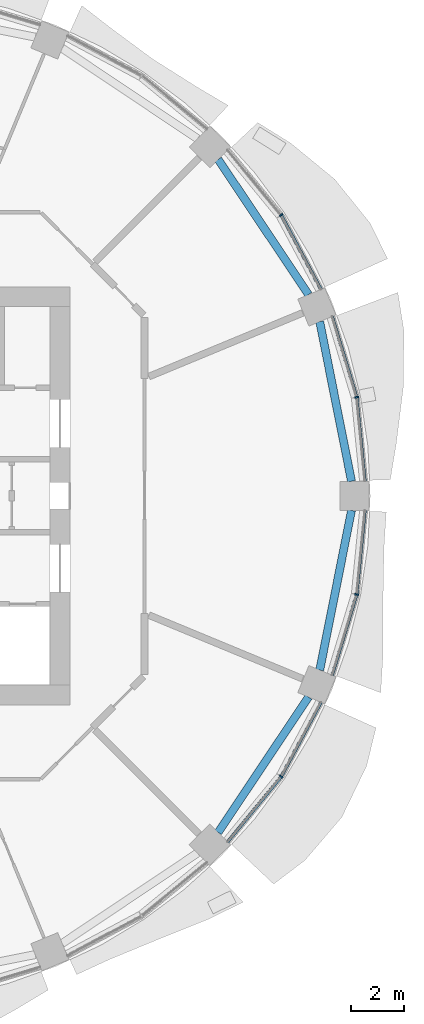
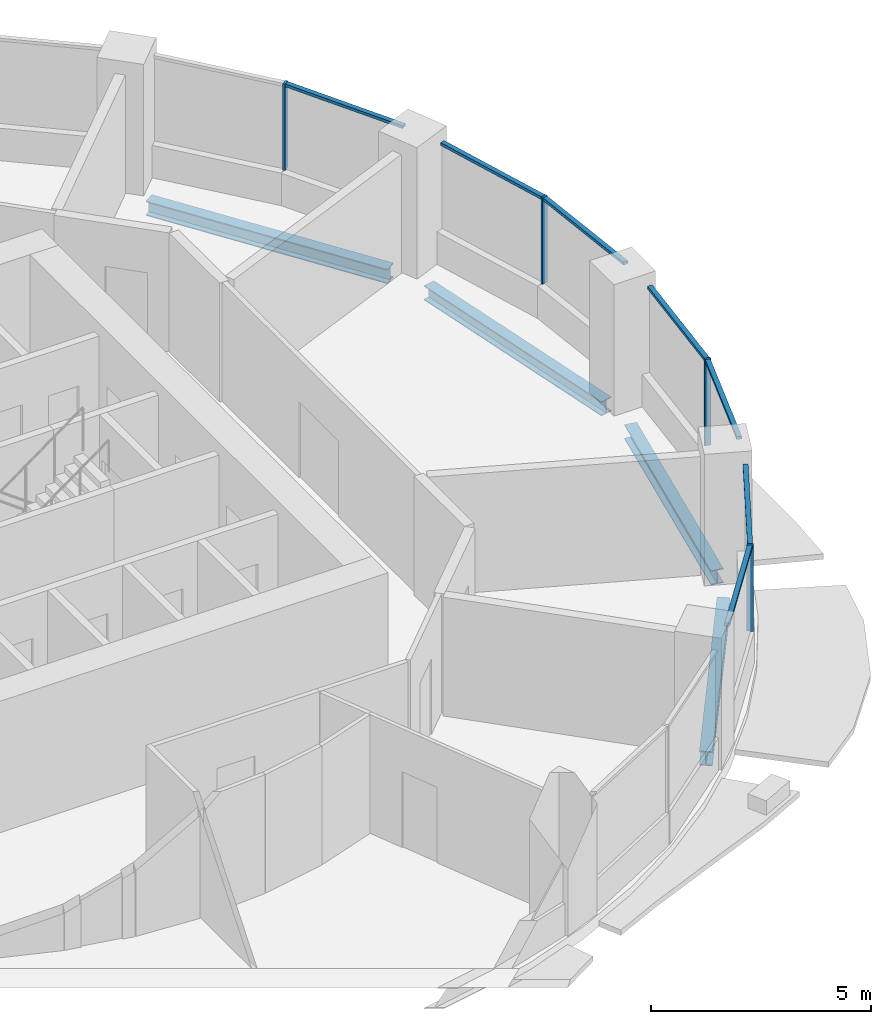
# One storey, part 4 of 14: 11 members, 4 beams, 4 elements without a shape of their own.
"""IFC4 building model written with IfcOpenShell, lengths in metres."""

from ifc_helpers import new_model, si_unit, direction, frame, origin, origin_2d, place, context, subcontext, project, spatial, rectangle, i_section, extrude, material, material_profile, profile_set, type_object, element, aggregate, save


model = new_model("IFC4")

# Units and contexts
model_context = context("Model", 3, precision=1e-05, world=origin(), true_north=direction((0.0, 1.0)))
body_context = subcontext(model_context, "Body", "Model", "MODEL_VIEW")
ifc_project = project(units=[si_unit("LENGTHUNIT", "METRE"), si_unit("AREAUNIT", "SQUARE_METRE"), si_unit("VOLUMEUNIT", "CUBIC_METRE"), si_unit("PLANEANGLEUNIT", "RADIAN"), si_unit("MASSUNIT", "GRAM", prefix="KILO")], contexts=[model_context])

# Site, building, storey
site_placement = place(None, origin())
site = spatial("IfcSite", under=ifc_project, at=site_placement, CompositionType="ELEMENT")
building_placement = place(site_placement, origin())
building = spatial("IfcBuilding", under=site, at=building_placement, Name="Polderwave Tower", CompositionType="ELEMENT")
storey_placement = place(building_placement, frame((0.0, 0.0, 109.25)))
storey = spatial("IfcBuildingStorey", under=building, at=storey_placement, Name="L28", CompositionType="ELEMENT", Elevation=109.25)

# Curtain wall, member
ifc_material_1 = material(Name="Aluminium 6063-T6 and glass", Category="aluminium")
curtain_wall_type = type_object("IfcCurtainWallType", Name="Growing floor ribbon glazing wall", PredefinedType="NOTDEFINED", material=ifc_material_1)
curtain_wall_1_placement = place(storey_placement, origin())
curtain_wall_1 = element("IfcCurtainWall", 1, at=curtain_wall_1_placement, inside=storey, type_object=curtain_wall_type, Name="CW2 L28 00", PredefinedType="NOTDEFINED")
ifc_material_2 = material(Name="Aluminium 6063-T6", Category="aluminium")
ifc_material_profile_1 = material_profile(ifc_material_2, rectangle(XDim=0.14990234375, YDim=0.06005859375, at=origin_2d()), Name="AL 60x150")
ifc_profile_set_1 = profile_set([ifc_material_profile_1], Name="Aluminium 6063-T6")
member_type_1 = type_object("IfcMemberType", Name="Growing floor ribbon glazing mullion 60x150", PredefinedType="MULLION", material=ifc_profile_set_1)
member_1_placement = place(storey_placement, frame((18.6640625, 3.712890625, 0.89990234375), z_axis=(0.0, 0.0, 1.0), x_axis=(-0.980784939905, -0.195092033809, 0.0)))
member_1 = element("IfcMember", 2, at=member_1_placement, type_object=member_type_1, Name="CW2 mullion 1", PredefinedType="MULLION", context=body_context, shape_type="SweptSolid", body=[
    extrude(rectangle(XDim=0.14990234375, YDim=0.06005859375, at=origin_2d()), origin(), (0.0, 0.0, 1.0), 2.400146484375),
])

curtain_wall_2_placement = place(storey_placement, origin())
curtain_wall_2 = element("IfcCurtainWall", 3, at=curtain_wall_2_placement, inside=storey, type_object=curtain_wall_type, Name="CW2 L28 01", PredefinedType="NOTDEFINED")
member_2_placement = place(storey_placement, frame((15.822998046875, 10.572998046875, 0.89990234375), z_axis=(0.0, 0.0, 1.0), x_axis=(-0.831459915646, -0.555584744817, 0.0)))
member_2 = element("IfcMember", 4, at=member_2_placement, type_object=member_type_1, Name="CW2 mullion 1", PredefinedType="MULLION", context=body_context, shape_type="SweptSolid", body=[
    extrude(rectangle(XDim=0.14990234375, YDim=0.06005859375, at=origin_2d()), origin(), (0.0, 0.0, 1.0), 2.400146484375),
])

curtain_wall_3_placement = place(storey_placement, origin())
curtain_wall_3 = element("IfcCurtainWall", 5, at=curtain_wall_3_placement, inside=storey, type_object=curtain_wall_type, Name="CW2 L28 14", PredefinedType="NOTDEFINED")
member_3_placement = place(storey_placement, frame((15.822998046875, -10.572998046875, 0.89990234375), z_axis=(0.0, 0.0, 1.0), x_axis=(-0.831459915646, 0.555584744817, 0.0)))
member_3 = element("IfcMember", 6, at=member_3_placement, type_object=member_type_1, Name="CW2 mullion 1", PredefinedType="MULLION", context=body_context, shape_type="SweptSolid", body=[
    extrude(rectangle(XDim=0.14990234375, YDim=0.06005859375, at=origin_2d()), origin(), (0.0, 0.0, 1.0), 2.400146484375),
])

curtain_wall_4_placement = place(storey_placement, origin())
curtain_wall_4 = element("IfcCurtainWall", 7, at=curtain_wall_4_placement, inside=storey, type_object=curtain_wall_type, Name="CW2 L28 15", PredefinedType="NOTDEFINED")
member_4_placement = place(storey_placement, frame((18.6640625, -3.712890625, 0.89990234375), z_axis=(0.0, 0.0, 1.0), x_axis=(-0.980784939905, 0.195092033809, 0.0)))
member_4 = element("IfcMember", 8, at=member_4_placement, type_object=member_type_1, Name="CW2 mullion 1", PredefinedType="MULLION", context=body_context, shape_type="SweptSolid", body=[
    extrude(rectangle(XDim=0.14990234375, YDim=0.06005859375, at=origin_2d()), origin(), (0.0, 0.0, 1.0), 2.400146484375),
])

# Member
ifc_material_profile_2 = material_profile(ifc_material_2, rectangle(XDim=0.1201171875, YDim=0.080078125, at=origin_2d()), Name="AL 80x120")
ifc_profile_set_2 = profile_set([ifc_material_profile_2], Name="Aluminium 6063-T6")
member_type_2 = type_object("IfcMemberType", Name="Growing floor ribbon glazing transom 80x120", PredefinedType="USERDEFINED", material=ifc_profile_set_2)
member_5_placement = place(storey_placement, frame((18.97607421875, 0.550048828125, 3.260009765625), z_axis=(-0.098175338745, 0.995169132792, 0.0), x_axis=(-0.995169132792, -0.098175338745, 0.0)))
member_5 = element("IfcMember", 9, at=member_5_placement, type_object=member_type_2, Name="CW2 transom 1", ObjectType="TRANSOM", PredefinedType="USERDEFINED", context=body_context, shape_type="SweptSolid", body=[
    extrude(rectangle(XDim=0.1201171875, YDim=0.080078125, at=origin_2d()), origin(), (0.0, 0.0, 1.0), 3.148193359375),
])

member_6_placement = place(storey_placement, frame((18.6552734375, 3.74169921875, 3.260009765625), z_axis=(-0.290164540356, 0.956976770627, 0.0), x_axis=(-0.956976770627, -0.290164540356, 0.0)))
member_6 = element("IfcMember", 10, at=member_6_placement, type_object=member_type_2, Name="CW2 transom 2", ObjectType="TRANSOM", PredefinedType="USERDEFINED", context=body_context, shape_type="SweptSolid", body=[
    extrude(rectangle(XDim=0.1201171875, YDim=0.080078125, at=origin_2d()), origin(), (0.0, 0.0, 1.0), 3.147705078125),
])

aggregate(curtain_wall_1, [member_1, member_5, member_6])

member_7_placement = place(storey_placement, frame((17.321044921875, 7.77001953125, 3.260009765625), z_axis=(-0.471368950997, 0.88193611562, 0.0), x_axis=(-0.88193611562, -0.471368950997, 0.0)))
member_7 = element("IfcMember", 11, at=member_7_placement, type_object=member_type_2, Name="CW2 transom 1", ObjectType="TRANSOM", PredefinedType="USERDEFINED", context=body_context, shape_type="SweptSolid", body=[
    extrude(rectangle(XDim=0.1201171875, YDim=0.080078125, at=origin_2d()), origin(), (0.0, 0.0, 1.0), 3.14794921875),
])

aggregate(curtain_wall_2, [member_2, member_7])

member_8_placement = place(storey_placement, frame((13.806884765625, -13.029052734375, 3.260009765625), z_axis=(0.634483003965, 0.77293681351, 0.0), x_axis=(-0.77293681351, 0.634483003965, 0.0)))
member_8 = element("IfcMember", 12, at=member_8_placement, type_object=member_type_2, Name="CW2 transom 1", ObjectType="TRANSOM", PredefinedType="USERDEFINED", context=body_context, shape_type="SweptSolid", body=[
    extrude(rectangle(XDim=0.1201171875, YDim=0.080078125, at=origin_2d()), origin(), (0.0, 0.0, 1.0), 3.1474609375),
])

member_9_placement = place(storey_placement, frame((15.837158203125, -10.54638671875, 3.260009765625), z_axis=(0.471368950997, 0.88193611562, 0.0), x_axis=(-0.88193611562, 0.471368950997, 0.0)))
member_9 = element("IfcMember", 13, at=member_9_placement, type_object=member_type_2, Name="CW2 transom 2", ObjectType="TRANSOM", PredefinedType="USERDEFINED", context=body_context, shape_type="SweptSolid", body=[
    extrude(rectangle(XDim=0.1201171875, YDim=0.080078125, at=origin_2d()), origin(), (0.0, 0.0, 1.0), 3.14794921875),
])

aggregate(curtain_wall_3, [member_3, member_8, member_9])

member_10_placement = place(storey_placement, frame((17.741943359375, -6.75390625, 3.260009765625), z_axis=(0.290164540356, 0.956976770627, 0.0), x_axis=(-0.956976770627, 0.290164540356, 0.0)))
member_10 = element("IfcMember", 14, at=member_10_placement, type_object=member_type_2, Name="CW2 transom 1", ObjectType="TRANSOM", PredefinedType="USERDEFINED", context=body_context, shape_type="SweptSolid", body=[
    extrude(rectangle(XDim=0.1201171875, YDim=0.080078125, at=origin_2d()), origin(), (0.0, 0.0, 1.0), 3.147705078125),
])

member_11_placement = place(storey_placement, frame((18.6669921875, -3.68310546875, 3.260009765625), z_axis=(0.098175338745, 0.995169132792, 0.0), x_axis=(-0.995169132792, 0.098175338745, 0.0)))
member_11 = element("IfcMember", 15, at=member_11_placement, type_object=member_type_2, Name="CW2 transom 2", ObjectType="TRANSOM", PredefinedType="USERDEFINED", context=body_context, shape_type="SweptSolid", body=[
    extrude(rectangle(XDim=0.1201171875, YDim=0.080078125, at=origin_2d()), origin(), (0.0, 0.0, 1.0), 3.148193359375),
])

aggregate(curtain_wall_4, [member_4, member_10, member_11])

# Beams
ifc_material_3 = material(Name="Steel S355", Category="steel")
ifc_material_profile_3 = material_profile(ifc_material_3, i_section(OverallWidth=0.300048828125, OverallDepth=0.39990234375, WebThickness=0.013427734375, FlangeThickness=0.02392578125, at=origin_2d()), Name="HE 400 B")
ifc_profile_set_3 = profile_set([ifc_material_profile_3], Name="Steel S355")
beam_type = type_object("IfcBeamType", Name="RING BEAM HE 400 B", PredefinedType="BEAM", material=ifc_profile_set_3)
beam_1_placement = place(storey_placement, frame((18.470703125, 0.550048828125, -0.550048828125), z_axis=(-0.195097041699, 0.980783943751, 0.0), x_axis=(-0.980783943751, -0.195097041699, 0.0)))
element("IfcBeam", 16, at=beam_1_placement, inside=storey, type_object=beam_type, Name="ST-RB-L28-00", PredefinedType="BEAM", context=body_context, shape_type="SweptSolid", body=[
    extrude(i_section(OverallWidth=0.300048828125, OverallDepth=0.39990234375, WebThickness=0.013427734375, FlangeThickness=0.02392578125, at=origin_2d()), origin(), (0.0, 0.0, 1.0), 6.1279296875),
])
for number, where, z_axis, x_axis, name in (
    (17, (16.854248046875, 7.576416015625, -0.550048828125), (-0.555554909675, 0.83147985083, 0.0), (-0.83147985083, -0.555554909675, 0.0), "ST-RB-L28-01"),
    (18, (13.44970703125, -12.671875, -0.550048828125), (0.555554909675, 0.83147985083, 0.0), (-0.83147985083, 0.555554909675, 0.0), "ST-RB-L28-14"),
):
    element("IfcBeam", number, at=place(storey_placement, frame(where, z_axis=z_axis, x_axis=x_axis)), inside=storey, type_object=beam_type, Name=name, PredefinedType="BEAM", context=body_context, shape_type="SweptSolid", body=[
        extrude(i_section(OverallWidth=0.300048828125, OverallDepth=0.39990234375, WebThickness=0.013427734375, FlangeThickness=0.02392578125, at=origin_2d()), origin(), (0.0, 0.0, 1.0), 6.128173828125),
    ])
beam_2_placement = place(storey_placement, frame((17.275146484375, -6.560302734375, -0.550048828125), z_axis=(0.195097041699, 0.980783943751, 0.0), x_axis=(-0.980783943751, 0.195097041699, 0.0)))
element("IfcBeam", 19, at=beam_2_placement, inside=storey, type_object=beam_type, Name="ST-RB-L28-15", PredefinedType="BEAM", context=body_context, shape_type="SweptSolid", body=[
    extrude(i_section(OverallWidth=0.300048828125, OverallDepth=0.39990234375, WebThickness=0.013427734375, FlangeThickness=0.02392578125, at=origin_2d()), origin(), (0.0, 0.0, 1.0), 6.1279296875),
])

save(model, "model.ifc")
